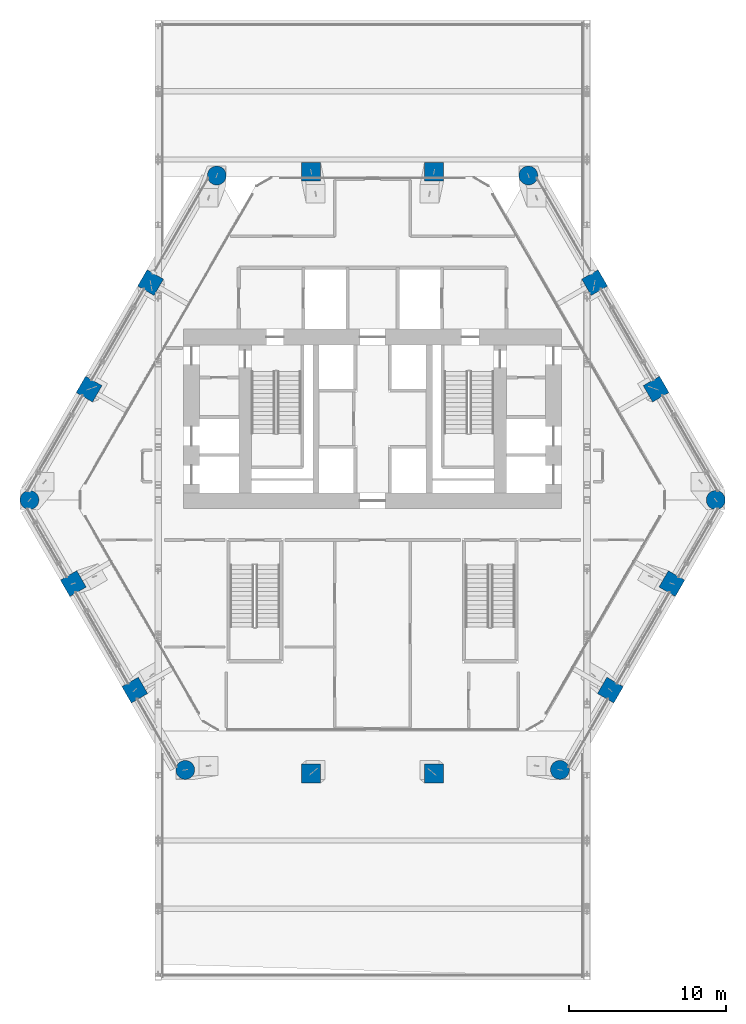
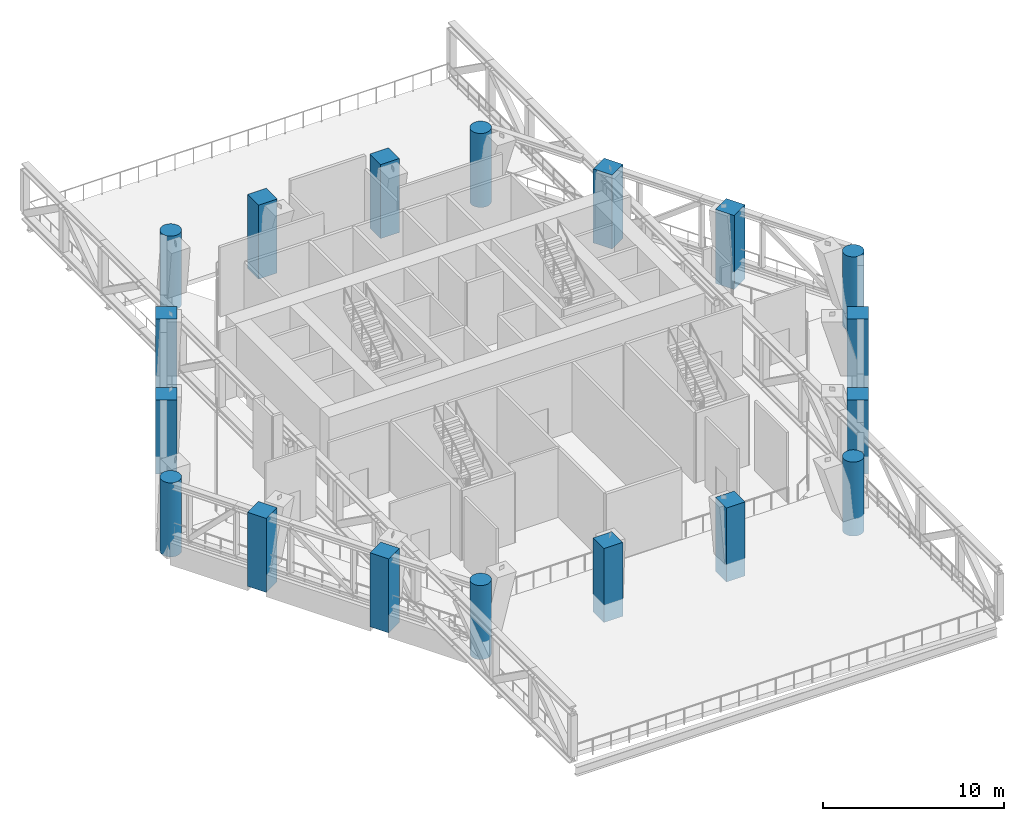
# One storey, part 1 of 22: 18 columns.
"""IFC4 building model written with IfcOpenShell, lengths in metres."""

from ifc_helpers import new_model, si_unit, direction, frame, origin, origin_2d, place, context, subcontext, project, spatial, rectangle, circle, extrude, material, material_profile, profile_set, type_object, element, save


model = new_model("IFC4")

# Units and contexts
model_context = context("Model", 3, precision=1e-05, world=origin(), true_north=direction((0.0, 1.0)))
body_context = subcontext(model_context, "Body", "Model", "MODEL_VIEW")
ifc_project = project(units=[si_unit("LENGTHUNIT", "METRE"), si_unit("AREAUNIT", "SQUARE_METRE"), si_unit("VOLUMEUNIT", "CUBIC_METRE"), si_unit("PLANEANGLEUNIT", "RADIAN"), si_unit("MASSUNIT", "GRAM", prefix="KILO")], contexts=[model_context])

# Site, building, storey
site_placement = place(None, origin())
site = spatial("IfcSite", under=ifc_project, at=site_placement, CompositionType="ELEMENT")
building_placement = place(site_placement, origin())
building = spatial("IfcBuilding", under=site, at=building_placement, Name="Ostrander Bayou Hotel Tower", CompositionType="ELEMENT")
storey_placement = place(building_placement, frame((0.0, 0.0, 146.0)))
storey = spatial("IfcBuildingStorey", under=building, at=storey_placement, Name="L36", CompositionType="ELEMENT", Elevation=146.0)

# Columns
ifc_material_1 = material(Name="Concrete f'c 70 MPa", Category="concrete")
ifc_material_profile_1 = material_profile(ifc_material_1, circle(Radius=0.60009765625, at=origin_2d()))
ifc_profile_set_1 = profile_set([ifc_material_profile_1], Name="Concrete f'c 70 MPa")
column_type_1 = type_object("IfcColumnType", Name="C3 round column 1200 mm f'c 70 MPa", PredefinedType="COLUMN", material=ifc_profile_set_1)
for number, where, z_axis, x_axis, name in (
    (1, (-9.899169921875, 19.458740234375, -1.199951171875), (0.0, 0.0, 1.0), (1.0, 0.0, 0.0), "C3 L36 K0"),
    (2, (-21.801513671875, -1.156494140625, -1.199951171875), (0.0, 0.0, 1.0), (1.0, 0.0, 0.0), "C3 L36 K1"),
    (3, (-11.90234375, -18.302490234375, -1.199951171875), (0.0, 0.0, 1.0), (1.0, 0.0, 0.0), "C3 L36 K2"),
    (4, (11.90234375, -18.302490234375, -1.199951171875), (0.0, 0.0, 1.0), (1.0, 0.0, 0.0), "C3 L36 K3"),
    (5, (21.801513671875, -1.156494140625, -1.199951171875), (0.0, 0.0, 1.0), (1.0, 0.0, 0.0), "C3 L36 K4"),
    (6, (9.899169921875, 19.458740234375, -1.199951171875), (0.0, 0.0, 1.0), (1.0, 0.0, 0.0), "C3 L36 K5"),
):
    element("IfcColumn", number, at=place(storey_placement, frame(where, z_axis=z_axis, x_axis=x_axis)), inside=storey, type_object=column_type_1, Name=name, PredefinedType="COLUMN", context=body_context, shape_type="SweptSolid", body=[
        extrude(circle(Radius=0.60009765625, at=origin_2d()), origin(), (0.0, 0.0, 1.0), 5.0),
    ])
ifc_material_2 = material(Name="Concrete f'c 70 MPa", Category="concrete")
ifc_material_profile_2 = material_profile(ifc_material_2, rectangle(XDim=1.199951171875, YDim=1.199951171875, at=origin_2d()))
ifc_profile_set_2 = profile_set([ifc_material_profile_2], Name="Concrete f'c 70 MPa")
column_type_2 = type_object("IfcColumnType", Name="C4 square column 1200 x 1200 mm f'c 70 MPa", PredefinedType="COLUMN", material=ifc_profile_set_2)
for number, where, z_axis, x_axis, name in (
    (7, (3.90673828125, 19.699951171875, -1.199951171875), (0.0, 0.0, 1.0), (1.0, 0.0, 0.0), "C4 L36 N1"),
    (8, (-3.90673828125, 19.699951171875, -1.199951171875), (0.0, 0.0, 1.0), (1.0, 0.0, 0.0), "C4 L36 N2"),
    (9, (-14.105712890625, 12.655029296875, -1.199951171875), (0.0, 0.0, 1.0), (0.5, 0.866025403784, 0.0), "C4 L36 NW1"),
    (10, (-18.012451171875, 5.888427734375, -1.199951171875), (0.0, 0.0, 1.0), (0.5, 0.866025403784, 0.0), "C4 L36 NW2"),
    (11, (-19.01416015625, -6.466796875, -1.199951171875), (0.0, 0.0, 1.0), (-0.5, 0.866025403784, 0.0), "C4 L36 SW1"),
    (12, (-15.107421875, -13.2333984375, -1.199951171875), (0.0, 0.0, 1.0), (-0.5, 0.866025403784, 0.0), "C4 L36 SW2"),
    (13, (-3.90673828125, -18.54345703125, -1.199951171875), (0.0, 0.0, 1.0), (-1.0, 0.0, 0.0), "C4 L36 S1"),
    (14, (3.90673828125, -18.54345703125, -1.199951171875), (0.0, 0.0, 1.0), (-1.0, 0.0, 0.0), "C4 L36 S2"),
    (15, (15.107421875, -13.2333984375, -1.199951171875), (0.0, 0.0, 1.0), (-0.5, -0.866025403784, 0.0), "C4 L36 SE1"),
    (16, (19.01416015625, -6.466796875, -1.199951171875), (0.0, 0.0, 1.0), (-0.5, -0.866025403784, 0.0), "C4 L36 SE2"),
    (17, (18.012451171875, 5.888427734375, -1.199951171875), (0.0, 0.0, 1.0), (0.5, -0.866025403784, 0.0), "C4 L36 NE1"),
    (18, (14.105712890625, 12.655029296875, -1.199951171875), (0.0, 0.0, 1.0), (0.5, -0.866025403784, 0.0), "C4 L36 NE2"),
):
    element("IfcColumn", number, at=place(storey_placement, frame(where, z_axis=z_axis, x_axis=x_axis)), inside=storey, type_object=column_type_2, Name=name, PredefinedType="COLUMN", context=body_context, shape_type="SweptSolid", body=[
        extrude(rectangle(XDim=1.199951171875, YDim=1.199951171875, at=origin_2d()), origin(), (0.0, 0.0, 1.0), 5.0),
    ])

save(model, "model.ifc")
